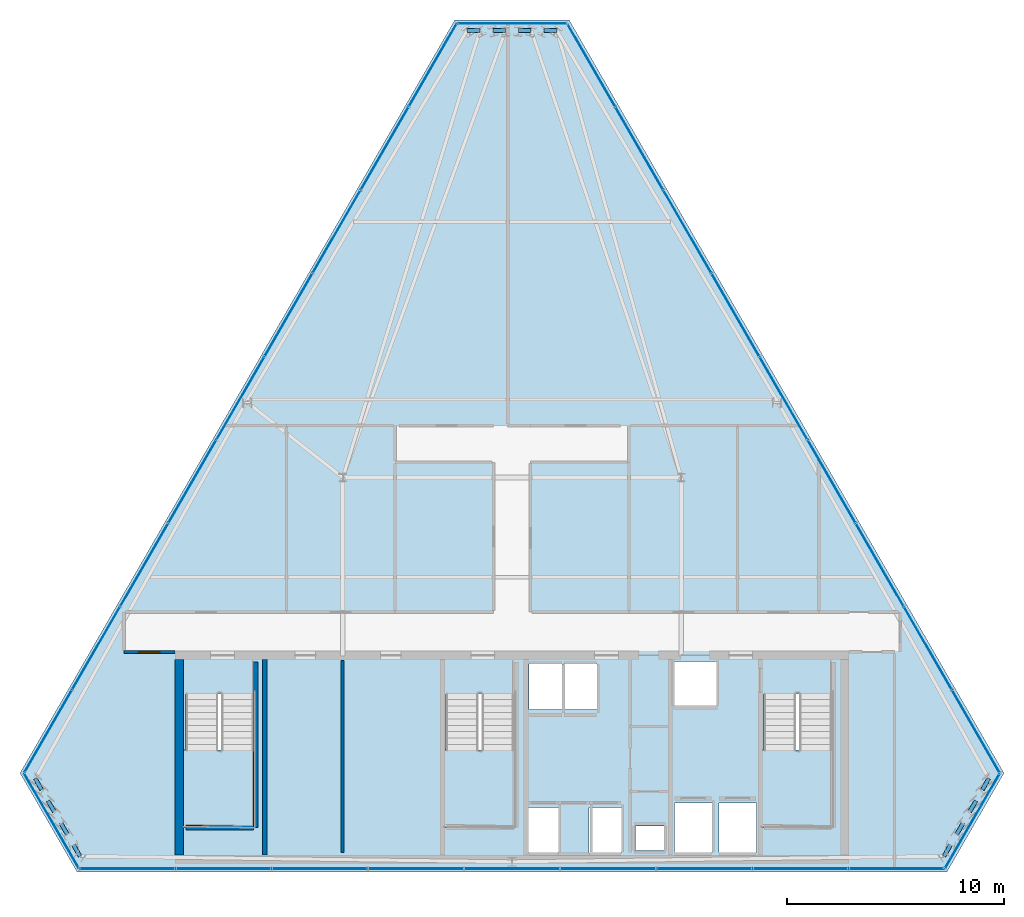
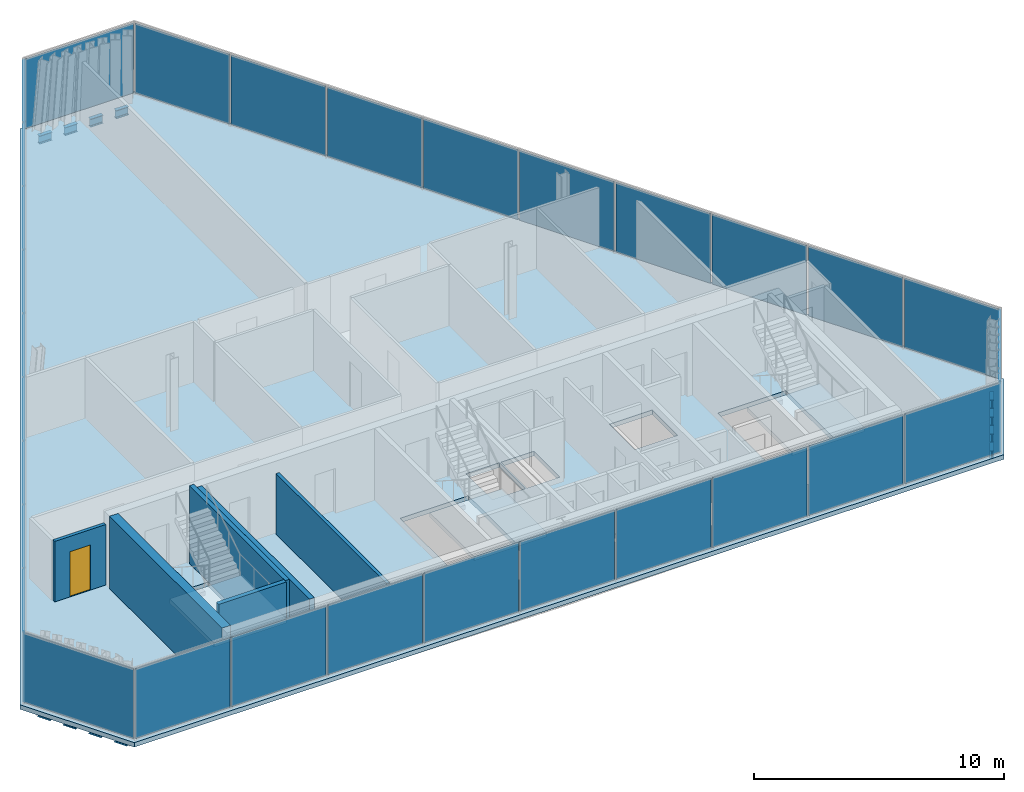
# One storey, part 29 of 35: 30 plates, 12 beams, 6 walls, 4 slabs, 1 door, 1 opening, 9 elements without a shape of their own.
"""IFC4 building model written with IfcOpenShell, lengths in metres."""

from ifc_helpers import new_model, si_unit, direction, frame, frame_2d, origin, origin_2d, place, context, subcontext, project, spatial, polyline, rectangle, i_section, outline, extrude, material, layer, layer_set, material_profile, profile_set, type_object, element, fill, aggregate, save


model = new_model("IFC4")

# Units and contexts
model_context = context("Model", 3, precision=1e-05, world=origin(), true_north=direction((0.0, 1.0)))
body_context = subcontext(model_context, "Body", "Model", "MODEL_VIEW")
ifc_project = project(units=[si_unit("LENGTHUNIT", "METRE"), si_unit("AREAUNIT", "SQUARE_METRE"), si_unit("VOLUMEUNIT", "CUBIC_METRE"), si_unit("PLANEANGLEUNIT", "RADIAN"), si_unit("MASSUNIT", "GRAM", prefix="KILO")], contexts=[model_context])

# Site, building, storey
site_placement = place(None, origin())
site = spatial("IfcSite", under=ifc_project, at=site_placement, CompositionType="ELEMENT")
building_placement = place(site_placement, origin())
building = spatial("IfcBuilding", under=site, at=building_placement, Name="Ndaravel Arena Tower", CompositionType="ELEMENT")
storey_placement = place(building_placement, frame((0.0, 0.0, 275.0)))
storey = spatial("IfcBuildingStorey", under=building, at=storey_placement, Name="L67", CompositionType="ELEMENT", Elevation=275.0)

# Beams
ifc_material_1 = material(Name="Steel S355", Category="steel")
ifc_material_profile = material_profile(ifc_material_1, i_section(OverallWidth=0.179931640625, OverallDepth=0.39990234375, WebThickness=0.008544921875, FlangeThickness=0.013427734375, FilletRadius=0.02099609375, at=origin_2d()), Name="IPE 400")
ifc_profile_set = profile_set([ifc_material_profile], Name="Steel S355")
beam_type = type_object("IfcBeamType", Name="BM-SPAN-IPE400", PredefinedType="SPANDREL", material=ifc_profile_set)
beam_1_placement = place(storey_placement, frame((61.921875, 5.735595703125, -0.419921875), z_axis=(0.500056887695, 0.865992557167, 0.0), x_axis=(-0.865992557167, 0.500056887695, 0.0)))
element("IfcBeam", 1, at=beam_1_placement, inside=storey, type_object=beam_type, Name="L67 Perimeter Spandrel Beam SP-02", PredefinedType="SPANDREL", context=body_context, shape_type="SweptSolid", body=[
    extrude(i_section(OverallWidth=0.179931640625, OverallDepth=0.39990234375, WebThickness=0.008544921875, FlangeThickness=0.013427734375, FilletRadius=0.02099609375, at=origin_2d()), origin(), (0.0, 0.0, 1.0), 0.58984375),
])
for number, where, z_axis, x_axis, name in (
    (2, (62.511962890625, 6.75732421875, -0.419921875), (0.499877680134, 0.866096013675, 0.0), (-0.866096013675, 0.499877680134, 0.0), "L67 Perimeter Spandrel Beam SP-04"),
    (3, (63.101806640625, 7.779296875, -0.419921875), (0.500187988959, 0.865916841101, 0.0), (-0.865916841101, 0.500187988959, 0.0), "L67 Perimeter Spandrel Beam SP-06"),
    (4, (63.69189453125, 8.80126953125, -0.419921875), (0.499877680134, 0.866096013675, 0.0), (-0.866096013675, 0.499877680134, 0.0), "L67 Perimeter Spandrel Beam SP-08"),
    (5, (44.065185546875, 43.818115234375, -0.419921875), (-1.0, 0.0, 0.0), (0.0, -1.0, 0.0), "L67 Perimeter Spandrel Beam SP-11"),
    (6, (42.885009765625, 43.818115234375, -0.419921875), (-1.0, 0.0, 0.0), (0.0, -1.0, 0.0), "L67 Perimeter Spandrel Beam SP-13"),
    (7, (41.705078125, 43.818115234375, -0.419921875), (-1.0, 0.0, 0.0), (0.0, -1.0, 0.0), "L67 Perimeter Spandrel Beam SP-15"),
    (8, (40.52490234375, 43.818115234375, -0.419921875), (-1.0, 0.0, 0.0), (0.0, -1.0, 0.0), "L67 Perimeter Spandrel Beam SP-17"),
    (9, (20.01318359375, 9.312255859375, -0.419921875), (0.499877680134, -0.866096013675, 0.0), (0.866096013675, 0.499877680134, 0.0), "L67 Perimeter Spandrel Beam SP-20"),
    (10, (20.60302734375, 8.290283203125, -0.419921875), (0.500187988959, -0.865916841101, 0.0), (0.865916841101, 0.500187988959, 0.0), "L67 Perimeter Spandrel Beam SP-22"),
    (11, (21.193115234375, 7.268310546875, -0.419921875), (0.499877680134, -0.866096013675, 0.0), (0.866096013675, 0.499877680134, 0.0), "L67 Perimeter Spandrel Beam SP-24"),
):
    element("IfcBeam", number, at=place(storey_placement, frame(where, z_axis=z_axis, x_axis=x_axis)), inside=storey, type_object=beam_type, Name=name, PredefinedType="SPANDREL", context=body_context, shape_type="SweptSolid", body=[
        extrude(i_section(OverallWidth=0.179931640625, OverallDepth=0.39990234375, WebThickness=0.008544921875, FlangeThickness=0.013427734375, FilletRadius=0.02099609375, at=origin_2d()), origin(), (0.0, 0.0, 1.0), 0.590087890625),
    ])
beam_2_placement = place(storey_placement, frame((21.783203125, 6.246337890625, -0.419921875), z_axis=(0.500056887695, -0.865992557167, 0.0), x_axis=(0.865992557167, 0.500056887695, 0.0)))
element("IfcBeam", 12, at=beam_2_placement, inside=storey, type_object=beam_type, Name="L67 Perimeter Spandrel Beam SP-26", PredefinedType="SPANDREL", context=body_context, shape_type="SweptSolid", body=[
    extrude(i_section(OverallWidth=0.179931640625, OverallDepth=0.39990234375, WebThickness=0.008544921875, FlangeThickness=0.013427734375, FilletRadius=0.02099609375, at=origin_2d()), origin(), (0.0, 0.0, 1.0), 0.58984375),
])

# Curtain wall, plate
ifc_material_2 = material(Name="Aluminium", Category="aluminium")
ifc_layer_1 = layer(ifc_material_2, 0.179931640625)
ifc_layer_set_1 = layer_set([ifc_layer_1], Name="Aluminium")
curtain_wall_type_1 = type_object("IfcCurtainWallType", Name="CW-SYS-01", PredefinedType="NOTDEFINED", material=ifc_layer_set_1)
curtain_wall_1_placement = place(storey_placement, origin())
curtain_wall_1 = element("IfcCurtainWall", 13, at=curtain_wall_1_placement, inside=storey, type_object=curtain_wall_type_1, Name="L67 Faceted Crystal Curtain Wall CW-L67-E02", PredefinedType="NOTDEFINED")
ifc_material_3 = material(Name="Glazing", Category="glass")
ifc_layer_2 = layer(ifc_material_3, 0.031982421875)
ifc_layer_set_2 = layer_set([ifc_layer_2], Name="Glazing")
plate_type_1 = type_object("IfcPlateType", Name="PLT-GLZ-FRIT35", PredefinedType="CURTAIN_PANEL", material=ifc_layer_set_2)
plate_1_placement = place(storey_placement, frame((63.2314453125, 7.364013671875, 0.06005859375), z_axis=(0.0, 0.0, 1.0), x_axis=(0.5, 0.866025403784, 0.0)))
plate_1 = element("IfcPlate", 14, at=plate_1_placement, type_object=plate_type_1, Name="CW-L67-E02 Vision Glass Panel 01", PredefinedType="CURTAIN_PANEL", context=body_context, shape_type="SweptSolid", body=[
    extrude(rectangle(XDim=5.009521484375, YDim=0.035888671875, at=origin_2d()), origin(), (0.0, 0.0, 1.0), 3.39990234375),
])
aggregate(curtain_wall_1, [plate_1])

curtain_wall_2_placement = place(storey_placement, origin())
curtain_wall_2 = element("IfcCurtainWall", 15, at=curtain_wall_2_placement, inside=storey, type_object=curtain_wall_type_1, Name="L67 Faceted Crystal Curtain Wall CW-L67-E04", PredefinedType="NOTDEFINED")
plate_2_placement = place(storey_placement, frame((42.0, 44.137939453125, 0.06005859375), z_axis=(0.0, 0.0, 1.0), x_axis=(-1.0, 0.0, 0.0)))
plate_2 = element("IfcPlate", 16, at=plate_2_placement, type_object=plate_type_1, Name="CW-L67-E04 Vision Glass Panel 01", PredefinedType="CURTAIN_PANEL", context=body_context, shape_type="SweptSolid", body=[
    extrude(rectangle(XDim=5.009521484375, YDim=0.035888671875, at=origin_2d()), origin(), (0.0, 0.0, 1.0), 3.39990234375),
])
aggregate(curtain_wall_2, [plate_2])

ifc_material_4 = material(Name="Aluminium", Category="aluminium")
ifc_layer_3 = layer(ifc_material_4, 0.179931640625)
ifc_layer_set_3 = layer_set([ifc_layer_3], Name="Aluminium")
curtain_wall_type_2 = type_object("IfcCurtainWallType", Name="CW-SYS-02", PredefinedType="NOTDEFINED", material=ifc_layer_set_3)
curtain_wall_3_placement = place(storey_placement, origin())
curtain_wall_3 = element("IfcCurtainWall", 17, at=curtain_wall_3_placement, inside=storey, type_object=curtain_wall_type_2, Name="L67 Faceted Crystal Curtain Wall CW-L67-E06", PredefinedType="NOTDEFINED")
ifc_material_5 = material(Name="Glazing", Category="glass")
ifc_layer_4 = layer(ifc_material_5, 0.035888671875)
ifc_layer_set_4 = layer_set([ifc_layer_4], Name="Glazing")
plate_type_2 = type_object("IfcPlateType", Name="PLT-GLZ-FRIT55", PredefinedType="CURTAIN_PANEL", material=ifc_layer_set_4)
plate_3_placement = place(storey_placement, frame((20.7685546875, 7.364013671875, 0.06005859375), z_axis=(0.0, 0.0, 1.0), x_axis=(0.5, -0.866025403784, 0.0)))
plate_3 = element("IfcPlate", 18, at=plate_3_placement, type_object=plate_type_2, Name="CW-L67-E06 Vision Glass Panel 01", PredefinedType="CURTAIN_PANEL", context=body_context, shape_type="SweptSolid", body=[
    extrude(rectangle(XDim=5.009521484375, YDim=0.035888671875, at=origin_2d()), origin(), (0.0, 0.0, 1.0), 3.39990234375),
])
aggregate(curtain_wall_3, [plate_3])

# Curtain wall, plates
ifc_material_6 = material(Name="Aluminium", Category="aluminium")
ifc_layer_5 = layer(ifc_material_6, 0.179931640625)
ifc_layer_set_5 = layer_set([ifc_layer_5], Name="Aluminium")
curtain_wall_type_3 = type_object("IfcCurtainWallType", Name="CW-SYS-03", PredefinedType="NOTDEFINED", material=ifc_layer_set_5)
curtain_wall_4_placement = place(storey_placement, origin())
curtain_wall_4 = element("IfcCurtainWall", 19, at=curtain_wall_4_placement, inside=storey, type_object=curtain_wall_type_3, Name="L67 Faceted Crystal Curtain Wall CW-L67-E01", PredefinedType="NOTDEFINED")
ifc_material_7 = material(Name="Glazing", Category="glass")
ifc_layer_6 = layer(ifc_material_7, 0.0400390625)
ifc_layer_set_6 = layer_set([ifc_layer_6], Name="Glazing")
plate_type_3 = type_object("IfcPlateType", Name="PLT-GLZ-LOWIRON", PredefinedType="CURTAIN_PANEL", material=ifc_layer_set_6)
plate_4_placement = place(storey_placement, frame((24.258544921875, 5.159912109375, 0.06005859375), z_axis=(0.0, 0.0, 1.0), x_axis=(1.0, 0.0, 0.0)))
plate_4 = element("IfcPlate", 20, at=plate_4_placement, type_object=plate_type_3, Name="CW-L67-E01 Vision Glass Panel 01", PredefinedType="CURTAIN_PANEL", context=body_context, shape_type="SweptSolid", body=[
    extrude(rectangle(XDim=4.35546875, YDim=0.035888671875, at=origin_2d()), origin(), (0.0, 0.0, 1.0), 3.39990234375),
])
plate_5_placement = place(storey_placement, frame((28.69384765625, 5.159912109375, 0.06005859375), z_axis=(0.0, 0.0, 1.0), x_axis=(1.0, 0.0, 0.0)))
plate_5 = element("IfcPlate", 21, at=plate_5_placement, type_object=plate_type_3, Name="CW-L67-E01 Vision Glass Panel 02", PredefinedType="CURTAIN_PANEL", context=body_context, shape_type="SweptSolid", body=[
    extrude(rectangle(XDim=4.35546875, YDim=0.035888671875, at=origin_2d()), origin(), (0.0, 0.0, 1.0), 3.39990234375),
])
plate_6_placement = place(storey_placement, frame((33.12939453125, 5.159912109375, 0.06005859375), z_axis=(0.0, 0.0, 1.0), x_axis=(1.0, 0.0, 0.0)))
plate_6 = element("IfcPlate", 22, at=plate_6_placement, type_object=plate_type_3, Name="CW-L67-E01 Vision Glass Panel 03", PredefinedType="CURTAIN_PANEL", context=body_context, shape_type="SweptSolid", body=[
    extrude(rectangle(XDim=4.35546875, YDim=0.035888671875, at=origin_2d()), origin(), (0.0, 0.0, 1.0), 3.39990234375),
])
plate_7_placement = place(storey_placement, frame((37.564697265625, 5.159912109375, 0.06005859375), z_axis=(0.0, 0.0, 1.0), x_axis=(1.0, 0.0, 0.0)))
plate_7 = element("IfcPlate", 23, at=plate_7_placement, type_object=plate_type_3, Name="CW-L67-E01 Vision Glass Panel 04", PredefinedType="CURTAIN_PANEL", context=body_context, shape_type="SweptSolid", body=[
    extrude(rectangle(XDim=4.35546875, YDim=0.035888671875, at=origin_2d()), origin(), (0.0, 0.0, 1.0), 3.39990234375),
])
plate_8_placement = place(storey_placement, frame((42.0, 5.159912109375, 0.06005859375), z_axis=(0.0, 0.0, 1.0), x_axis=(1.0, 0.0, 0.0)))
plate_8 = element("IfcPlate", 24, at=plate_8_placement, type_object=plate_type_3, Name="CW-L67-E01 Vision Glass Panel 05", PredefinedType="CURTAIN_PANEL", context=body_context, shape_type="SweptSolid", body=[
    extrude(rectangle(XDim=4.35546875, YDim=0.035888671875, at=origin_2d()), origin(), (0.0, 0.0, 1.0), 3.39990234375),
])
plate_9_placement = place(storey_placement, frame((46.435302734375, 5.159912109375, 0.06005859375), z_axis=(0.0, 0.0, 1.0), x_axis=(1.0, 0.0, 0.0)))
plate_9 = element("IfcPlate", 25, at=plate_9_placement, type_object=plate_type_3, Name="CW-L67-E01 Vision Glass Panel 06", PredefinedType="CURTAIN_PANEL", context=body_context, shape_type="SweptSolid", body=[
    extrude(rectangle(XDim=4.35546875, YDim=0.035888671875, at=origin_2d()), origin(), (0.0, 0.0, 1.0), 3.39990234375),
])
plate_10_placement = place(storey_placement, frame((50.87060546875, 5.159912109375, 0.06005859375), z_axis=(0.0, 0.0, 1.0), x_axis=(1.0, 0.0, 0.0)))
plate_10 = element("IfcPlate", 26, at=plate_10_placement, type_object=plate_type_3, Name="CW-L67-E01 Vision Glass Panel 07", PredefinedType="CURTAIN_PANEL", context=body_context, shape_type="SweptSolid", body=[
    extrude(rectangle(XDim=4.35546875, YDim=0.035888671875, at=origin_2d()), origin(), (0.0, 0.0, 1.0), 3.39990234375),
])
plate_11_placement = place(storey_placement, frame((55.30615234375, 5.159912109375, 0.06005859375), z_axis=(0.0, 0.0, 1.0), x_axis=(1.0, 0.0, 0.0)))
plate_11 = element("IfcPlate", 27, at=plate_11_placement, type_object=plate_type_3, Name="CW-L67-E01 Vision Glass Panel 08", PredefinedType="CURTAIN_PANEL", context=body_context, shape_type="SweptSolid", body=[
    extrude(rectangle(XDim=4.35546875, YDim=0.035888671875, at=origin_2d()), origin(), (0.0, 0.0, 1.0), 3.39990234375),
])
plate_12_placement = place(storey_placement, frame((59.741455078125, 5.159912109375, 0.06005859375), z_axis=(0.0, 0.0, 1.0), x_axis=(1.0, 0.0, 0.0)))
plate_12 = element("IfcPlate", 28, at=plate_12_placement, type_object=plate_type_3, Name="CW-L67-E01 Vision Glass Panel 09", PredefinedType="CURTAIN_PANEL", context=body_context, shape_type="SweptSolid", body=[
    extrude(rectangle(XDim=4.35546875, YDim=0.035888671875, at=origin_2d()), origin(), (0.0, 0.0, 1.0), 3.39990234375),
])
aggregate(curtain_wall_4, [plate_4, plate_5, plate_6, plate_7, plate_8, plate_9, plate_10, plate_11, plate_12])

curtain_wall_5_placement = place(storey_placement, origin())
curtain_wall_5 = element("IfcCurtainWall", 29, at=curtain_wall_5_placement, inside=storey, type_object=curtain_wall_type_3, Name="L67 Faceted Crystal Curtain Wall CW-L67-E03", PredefinedType="NOTDEFINED")
plate_13_placement = place(storey_placement, frame((63.39501953125, 11.48828125, 0.06005859375), z_axis=(0.0, 0.0, 1.0), x_axis=(-0.5, 0.866025403784, 0.0)))
plate_13 = element("IfcPlate", 30, at=plate_13_placement, type_object=plate_type_3, Name="CW-L67-E03 Vision Glass Panel 01", PredefinedType="CURTAIN_PANEL", context=body_context, shape_type="SweptSolid", body=[
    extrude(rectangle(XDim=4.35546875, YDim=0.035888671875, at=origin_2d()), origin(), (0.0, 0.0, 1.0), 3.39990234375),
])
plate_14_placement = place(storey_placement, frame((61.177490234375, 15.329345703125, 0.06005859375), z_axis=(0.0, 0.0, 1.0), x_axis=(-0.5, 0.866025403784, 0.0)))
plate_14 = element("IfcPlate", 31, at=plate_14_placement, type_object=plate_type_3, Name="CW-L67-E03 Vision Glass Panel 02", PredefinedType="CURTAIN_PANEL", context=body_context, shape_type="SweptSolid", body=[
    extrude(rectangle(XDim=4.35546875, YDim=0.035888671875, at=origin_2d()), origin(), (0.0, 0.0, 1.0), 3.39990234375),
])
plate_15_placement = place(storey_placement, frame((58.959716796875, 19.170654296875, 0.06005859375), z_axis=(0.0, 0.0, 1.0), x_axis=(-0.5, 0.866025403784, 0.0)))
plate_15 = element("IfcPlate", 32, at=plate_15_placement, type_object=plate_type_3, Name="CW-L67-E03 Vision Glass Panel 03", PredefinedType="CURTAIN_PANEL", context=body_context, shape_type="SweptSolid", body=[
    extrude(rectangle(XDim=4.35546875, YDim=0.035888671875, at=origin_2d()), origin(), (0.0, 0.0, 1.0), 3.39990234375),
])
plate_16_placement = place(storey_placement, frame((56.741943359375, 23.01171875, 0.06005859375), z_axis=(0.0, 0.0, 1.0), x_axis=(-0.5, 0.866025403784, 0.0)))
plate_16 = element("IfcPlate", 33, at=plate_16_placement, type_object=plate_type_3, Name="CW-L67-E03 Vision Glass Panel 04", PredefinedType="CURTAIN_PANEL", context=body_context, shape_type="SweptSolid", body=[
    extrude(rectangle(XDim=4.35546875, YDim=0.035888671875, at=origin_2d()), origin(), (0.0, 0.0, 1.0), 3.39990234375),
])
plate_17_placement = place(storey_placement, frame((54.5244140625, 26.852783203125, 0.06005859375), z_axis=(0.0, 0.0, 1.0), x_axis=(-0.5, 0.866025403784, 0.0)))
plate_17 = element("IfcPlate", 34, at=plate_17_placement, type_object=plate_type_3, Name="CW-L67-E03 Vision Glass Panel 05", PredefinedType="CURTAIN_PANEL", context=body_context, shape_type="SweptSolid", body=[
    extrude(rectangle(XDim=4.35546875, YDim=0.035888671875, at=origin_2d()), origin(), (0.0, 0.0, 1.0), 3.39990234375),
])
plate_18_placement = place(storey_placement, frame((52.306640625, 30.694091796875, 0.06005859375), z_axis=(0.0, 0.0, 1.0), x_axis=(-0.5, 0.866025403784, 0.0)))
plate_18 = element("IfcPlate", 35, at=plate_18_placement, type_object=plate_type_3, Name="CW-L67-E03 Vision Glass Panel 06", PredefinedType="CURTAIN_PANEL", context=body_context, shape_type="SweptSolid", body=[
    extrude(rectangle(XDim=4.35546875, YDim=0.035888671875, at=origin_2d()), origin(), (0.0, 0.0, 1.0), 3.39990234375),
])
plate_19_placement = place(storey_placement, frame((50.089111328125, 34.53515625, 0.06005859375), z_axis=(0.0, 0.0, 1.0), x_axis=(-0.5, 0.866025403784, 0.0)))
plate_19 = element("IfcPlate", 36, at=plate_19_placement, type_object=plate_type_3, Name="CW-L67-E03 Vision Glass Panel 07", PredefinedType="CURTAIN_PANEL", context=body_context, shape_type="SweptSolid", body=[
    extrude(rectangle(XDim=4.35546875, YDim=0.035888671875, at=origin_2d()), origin(), (0.0, 0.0, 1.0), 3.39990234375),
])
plate_20_placement = place(storey_placement, frame((47.871337890625, 38.376220703125, 0.06005859375), z_axis=(0.0, 0.0, 1.0), x_axis=(-0.5, 0.866025403784, 0.0)))
plate_20 = element("IfcPlate", 37, at=plate_20_placement, type_object=plate_type_3, Name="CW-L67-E03 Vision Glass Panel 08", PredefinedType="CURTAIN_PANEL", context=body_context, shape_type="SweptSolid", body=[
    extrude(rectangle(XDim=4.35546875, YDim=0.035888671875, at=origin_2d()), origin(), (0.0, 0.0, 1.0), 3.39990234375),
])
plate_21_placement = place(storey_placement, frame((45.653564453125, 42.21728515625, 0.06005859375), z_axis=(0.0, 0.0, 1.0), x_axis=(-0.5, 0.866025403784, 0.0)))
plate_21 = element("IfcPlate", 38, at=plate_21_placement, type_object=plate_type_3, Name="CW-L67-E03 Vision Glass Panel 09", PredefinedType="CURTAIN_PANEL", context=body_context, shape_type="SweptSolid", body=[
    extrude(rectangle(XDim=4.35546875, YDim=0.035888671875, at=origin_2d()), origin(), (0.0, 0.0, 1.0), 3.39990234375),
])
aggregate(curtain_wall_5, [plate_13, plate_14, plate_15, plate_16, plate_17, plate_18, plate_19, plate_20, plate_21])

curtain_wall_6_placement = place(storey_placement, origin())
curtain_wall_6 = element("IfcCurtainWall", 39, at=curtain_wall_6_placement, inside=storey, type_object=curtain_wall_type_3, Name="L67 Faceted Crystal Curtain Wall CW-L67-E05", PredefinedType="NOTDEFINED")
plate_22_placement = place(storey_placement, frame((38.346435546875, 42.21728515625, 0.06005859375), z_axis=(0.0, 0.0, 1.0), x_axis=(-0.5, -0.866025403784, 0.0)))
plate_22 = element("IfcPlate", 40, at=plate_22_placement, type_object=plate_type_3, Name="CW-L67-E05 Vision Glass Panel 01", PredefinedType="CURTAIN_PANEL", context=body_context, shape_type="SweptSolid", body=[
    extrude(rectangle(XDim=4.35546875, YDim=0.035888671875, at=origin_2d()), origin(), (0.0, 0.0, 1.0), 3.39990234375),
])
plate_23_placement = place(storey_placement, frame((36.128662109375, 38.376220703125, 0.06005859375), z_axis=(0.0, 0.0, 1.0), x_axis=(-0.5, -0.866025403784, 0.0)))
plate_23 = element("IfcPlate", 41, at=plate_23_placement, type_object=plate_type_3, Name="CW-L67-E05 Vision Glass Panel 02", PredefinedType="CURTAIN_PANEL", context=body_context, shape_type="SweptSolid", body=[
    extrude(rectangle(XDim=4.35546875, YDim=0.035888671875, at=origin_2d()), origin(), (0.0, 0.0, 1.0), 3.39990234375),
])
plate_24_placement = place(storey_placement, frame((33.910888671875, 34.53515625, 0.06005859375), z_axis=(0.0, 0.0, 1.0), x_axis=(-0.5, -0.866025403784, 0.0)))
plate_24 = element("IfcPlate", 42, at=plate_24_placement, type_object=plate_type_3, Name="CW-L67-E05 Vision Glass Panel 03", PredefinedType="CURTAIN_PANEL", context=body_context, shape_type="SweptSolid", body=[
    extrude(rectangle(XDim=4.35546875, YDim=0.035888671875, at=origin_2d()), origin(), (0.0, 0.0, 1.0), 3.39990234375),
])
plate_25_placement = place(storey_placement, frame((31.693359375, 30.694091796875, 0.06005859375), z_axis=(0.0, 0.0, 1.0), x_axis=(-0.5, -0.866025403784, 0.0)))
plate_25 = element("IfcPlate", 43, at=plate_25_placement, type_object=plate_type_3, Name="CW-L67-E05 Vision Glass Panel 04", PredefinedType="CURTAIN_PANEL", context=body_context, shape_type="SweptSolid", body=[
    extrude(rectangle(XDim=4.35546875, YDim=0.035888671875, at=origin_2d()), origin(), (0.0, 0.0, 1.0), 3.39990234375),
])
plate_26_placement = place(storey_placement, frame((29.4755859375, 26.852783203125, 0.06005859375), z_axis=(0.0, 0.0, 1.0), x_axis=(-0.5, -0.866025403784, 0.0)))
plate_26 = element("IfcPlate", 44, at=plate_26_placement, type_object=plate_type_3, Name="CW-L67-E05 Vision Glass Panel 05", PredefinedType="CURTAIN_PANEL", context=body_context, shape_type="SweptSolid", body=[
    extrude(rectangle(XDim=4.35546875, YDim=0.035888671875, at=origin_2d()), origin(), (0.0, 0.0, 1.0), 3.39990234375),
])
plate_27_placement = place(storey_placement, frame((27.258056640625, 23.01171875, 0.06005859375), z_axis=(0.0, 0.0, 1.0), x_axis=(-0.5, -0.866025403784, 0.0)))
plate_27 = element("IfcPlate", 45, at=plate_27_placement, type_object=plate_type_3, Name="CW-L67-E05 Vision Glass Panel 06", PredefinedType="CURTAIN_PANEL", context=body_context, shape_type="SweptSolid", body=[
    extrude(rectangle(XDim=4.35546875, YDim=0.035888671875, at=origin_2d()), origin(), (0.0, 0.0, 1.0), 3.39990234375),
])
plate_28_placement = place(storey_placement, frame((25.040283203125, 19.170654296875, 0.06005859375), z_axis=(0.0, 0.0, 1.0), x_axis=(-0.5, -0.866025403784, 0.0)))
plate_28 = element("IfcPlate", 46, at=plate_28_placement, type_object=plate_type_3, Name="CW-L67-E05 Vision Glass Panel 07", PredefinedType="CURTAIN_PANEL", context=body_context, shape_type="SweptSolid", body=[
    extrude(rectangle(XDim=4.35546875, YDim=0.035888671875, at=origin_2d()), origin(), (0.0, 0.0, 1.0), 3.39990234375),
])
plate_29_placement = place(storey_placement, frame((22.822509765625, 15.329345703125, 0.06005859375), z_axis=(0.0, 0.0, 1.0), x_axis=(-0.5, -0.866025403784, 0.0)))
plate_29 = element("IfcPlate", 47, at=plate_29_placement, type_object=plate_type_3, Name="CW-L67-E05 Vision Glass Panel 08", PredefinedType="CURTAIN_PANEL", context=body_context, shape_type="SweptSolid", body=[
    extrude(rectangle(XDim=4.35546875, YDim=0.035888671875, at=origin_2d()), origin(), (0.0, 0.0, 1.0), 3.39990234375),
])
plate_30_placement = place(storey_placement, frame((20.60498046875, 11.48828125, 0.06005859375), z_axis=(0.0, 0.0, 1.0), x_axis=(-0.5, -0.866025403784, 0.0)))
plate_30 = element("IfcPlate", 48, at=plate_30_placement, type_object=plate_type_3, Name="CW-L67-E05 Vision Glass Panel 09", PredefinedType="CURTAIN_PANEL", context=body_context, shape_type="SweptSolid", body=[
    extrude(rectangle(XDim=4.35546875, YDim=0.035888671875, at=origin_2d()), origin(), (0.0, 0.0, 1.0), 3.39990234375),
])
aggregate(curtain_wall_6, [plate_22, plate_23, plate_24, plate_25, plate_26, plate_27, plate_28, plate_29, plate_30])

# Stair, slab
ifc_material_8 = material(Name="Concrete C40/50", Category="concrete")
stair_type = type_object("IfcStairType", Name="STAIR-CORE-HT", PredefinedType="HALF_TURN_STAIR", material=ifc_material_8)
stair_1_placement = place(storey_placement, origin())
stair_1 = element("IfcStair", 49, at=stair_1_placement, inside=storey, type_object=stair_type, Name="L67 ST-1", PredefinedType="HALF_TURN_STAIR")
ifc_material_9 = material(Name="Concrete C40/50", Category="concrete")
ifc_layer_7 = layer(ifc_material_9, 0.199951171875)
ifc_layer_set_7 = layer_set([ifc_layer_7], Name="Concrete C40/50")
slab_type_1 = type_object("IfcSlabType", Name="SLAB-STAIR-LANDING", PredefinedType="LANDING", material=ifc_layer_set_7)
slab_1_placement = place(storey_placement, frame((0.0, 0.0, 1.699951171875)))
slab_1 = element("IfcSlab", 50, at=slab_1_placement, type_object=slab_type_1, Name="ST-1 landing 1", PredefinedType="LANDING", context=body_context, shape_type="SweptSolid", body=[
    extrude(outline(polyline([(26.81005859375, 10.6298828125), (26.81005859375, 7.070068359375), (30.169921875, 7.070068359375), (30.169921875, 10.6298828125), (26.81005859375, 10.6298828125)])), origin(), (0.0, 0.0, 1.0), 0.199951171875),
])
aggregate(stair_1, [slab_1])

stair_2_placement = place(storey_placement, origin())
stair_2 = element("IfcStair", 51, at=stair_2_placement, inside=storey, type_object=stair_type, Name="L67 ST-2", PredefinedType="HALF_TURN_STAIR")
slab_2_placement = place(storey_placement, frame((0.0, 0.0, 1.699951171875)))
slab_2 = element("IfcSlab", 52, at=slab_2_placement, type_object=slab_type_1, Name="ST-2 landing 1", PredefinedType="LANDING", context=body_context, shape_type="SweptSolid", body=[
    extrude(outline(polyline([(38.81005859375, 10.6298828125), (38.81005859375, 7.070068359375), (42.169921875, 7.070068359375), (42.169921875, 10.6298828125), (38.81005859375, 10.6298828125)])), origin(), (0.0, 0.0, 1.0), 0.199951171875),
])
aggregate(stair_2, [slab_2])

stair_3_placement = place(storey_placement, origin())
stair_3 = element("IfcStair", 53, at=stair_3_placement, inside=storey, type_object=stair_type, Name="L67 ST-3", PredefinedType="HALF_TURN_STAIR")
slab_3_placement = place(storey_placement, frame((0.0, 0.0, 1.699951171875)))
slab_3 = element("IfcSlab", 54, at=slab_3_placement, type_object=slab_type_1, Name="ST-3 landing 1", PredefinedType="LANDING", context=body_context, shape_type="SweptSolid", body=[
    extrude(outline(polyline([(53.4599609375, 10.6298828125), (53.4599609375, 7.070068359375), (56.820068359375, 7.070068359375), (56.820068359375, 10.6298828125), (53.4599609375, 10.6298828125)])), origin(), (0.0, 0.0, 1.0), 0.199951171875),
])
aggregate(stair_3, [slab_3])

# Slab
ifc_material_10 = material(Name="Concrete C40/50", Category="concrete")
ifc_layer_8 = layer(ifc_material_10, 0.219970703125)
ifc_layer_set_8 = layer_set([ifc_layer_8], Name="Concrete C40/50")
slab_type_2 = type_object("IfcSlabType", Name="SLAB-TWR-220", PredefinedType="FLOOR", material=ifc_layer_set_8)
slab_4_placement = place(storey_placement, frame((0.0, 0.0, -0.219970703125)))
element("IfcSlab", 55, at=slab_4_placement, inside=storey, type_object=slab_type_2, Name="L67 Structural Floor Slab", PredefinedType="FLOOR", context=body_context, shape_type="SweptSolid", body=[
    extrude(outline(polyline([(19.311279296875, 9.567626953125), (21.948486328125, 5.0), (62.051513671875, 5.0), (64.688720703125, 9.567626953125), (44.63720703125, 44.298095703125), (39.36279296875, 44.298095703125), (19.311279296875, 9.567626953125)]), holes=[polyline([(26.949951171875, 13.215087890625), (26.949951171875, 7.14990234375), (30.090087890625, 7.14990234375), (30.090087890625, 13.215087890625), (26.949951171875, 13.215087890625)]), polyline([(38.949951171875, 13.215087890625), (38.949951171875, 7.14990234375), (42.090087890625, 7.14990234375), (42.090087890625, 13.215087890625), (38.949951171875, 13.215087890625)]), polyline([(53.60009765625, 13.215087890625), (53.60009765625, 7.14990234375), (56.739990234375, 7.14990234375), (56.739990234375, 13.215087890625), (53.60009765625, 13.215087890625)]), polyline([(42.659912109375, 5.909912109375), (44.139892578125, 5.909912109375), (44.139892578125, 7.989990234375), (42.659912109375, 7.989990234375), (42.659912109375, 5.909912109375)]), polyline([(45.56005859375, 5.909912109375), (47.0400390625, 5.909912109375), (47.0400390625, 7.989990234375), (45.56005859375, 7.989990234375), (45.56005859375, 5.909912109375)]), polyline([(42.784912109375, 12.510009765625), (44.31494140625, 12.510009765625), (44.31494140625, 14.590087890625), (42.784912109375, 14.590087890625), (42.784912109375, 12.510009765625)]), polyline([(44.385009765625, 12.510009765625), (45.9150390625, 12.510009765625), (45.9150390625, 14.590087890625), (44.385009765625, 14.590087890625), (44.385009765625, 12.510009765625)]), polyline([(49.485107421875, 5.909912109375), (51.215087890625, 5.909912109375), (51.215087890625, 8.18994140625), (49.485107421875, 8.18994140625), (49.485107421875, 5.909912109375)]), polyline([(51.534912109375, 5.909912109375), (53.264892578125, 5.909912109375), (53.264892578125, 8.18994140625), (51.534912109375, 8.18994140625), (51.534912109375, 5.909912109375)]), polyline([(49.4599609375, 12.68505859375), (51.43994140625, 12.68505859375), (51.43994140625, 14.715087890625), (49.4599609375, 14.715087890625), (49.4599609375, 12.68505859375)]), polyline([(47.699951171875, 6.0), (49.0, 6.0), (49.0, 7.139892578125), (47.699951171875, 7.139892578125), (47.699951171875, 6.0)])]), origin(), (0.0, 0.0, 1.0), 0.219970703125),
])

# Walls
ifc_material_11 = material(Name="Gypsum", Category="gypsum")
ifc_layer_9 = layer(ifc_material_11, 0.14990234375)
ifc_layer_set_9 = layer_set([ifc_layer_9], Name="Gypsum")
wall_type_1 = type_object("IfcWallType", Name="WALL-COMP-150", PredefinedType="PARTITIONING", material=ifc_layer_set_9)
wall_1_placement = place(storey_placement, frame((34.179931640625, 5.89990234375, 0.0), z_axis=(0.0, 0.0, 1.0), x_axis=(0.0, 1.0, 0.0)))
element("IfcWall", 56, at=wall_1_placement, inside=storey, type_object=wall_type_1, Name="L67 High-Zone Core Divider 1", PredefinedType="PARTITIONING", context=body_context, shape_type="SweptSolid", body=[
    extrude(rectangle(XDim=8.85009765625, YDim=0.14990234375, at=frame_2d((4.425048828125, 0.0))), origin(), (0.0, 0.0, 1.0), 2.950439453125),
])
ifc_material_12 = material(Name="Concrete C50/60", Category="concrete")
ifc_layer_10 = layer(ifc_material_12, 0.219970703125)
ifc_layer_set_10 = layer_set([ifc_layer_10], Name="Concrete C50/60")
wall_type_2 = type_object("IfcWallType", Name="WALL-CORE-220", PredefinedType="SOLIDWALL", material=ifc_layer_set_10)
wall_2_placement = place(storey_placement, frame((30.60009765625, 5.800048828125, 0.0), z_axis=(0.0, 0.0, 1.0), x_axis=(0.0, 1.0, 0.0)))
element("IfcWall", 57, at=wall_2_placement, inside=storey, type_object=wall_type_2, Name="L67 Core Web Shear Wall 1", PredefinedType="SOLIDWALL", context=body_context, shape_type="SweptSolid", body=[
    extrude(rectangle(XDim=9.0, YDim=0.219970703125, at=frame_2d((4.5, 0.0))), origin(), (0.0, 0.0, 1.0), 3.52001953125),
])
ifc_material_13 = material(Name="Concrete C50/60", Category="concrete")
ifc_layer_11 = layer(ifc_material_13, 0.39990234375)
ifc_layer_set_11 = layer_set([ifc_layer_11], Name="Concrete C50/60")
wall_type_3 = type_object("IfcWallType", Name="WALL-CORE-400", PredefinedType="SOLIDWALL", material=ifc_layer_set_11)
wall_3_placement = place(storey_placement, frame((26.64990234375, 5.800048828125, 0.0), z_axis=(0.0, 0.0, 1.0), x_axis=(0.0, 1.0, 0.0)))
element("IfcWall", 58, at=wall_3_placement, inside=storey, type_object=wall_type_3, Name="L67 Core West Shear Wall", PredefinedType="SOLIDWALL", context=body_context, shape_type="SweptSolid", body=[
    extrude(rectangle(XDim=9.0, YDim=0.39990234375, at=frame_2d((4.5, 0.0))), origin(), (0.0, 0.0, 1.0), 3.52001953125),
])
ifc_material_14 = material(Name="Concrete C40/50", Category="concrete")
ifc_layer_12 = layer(ifc_material_14, 0.199951171875)
ifc_layer_set_12 = layer_set([ifc_layer_12], Name="Concrete C40/50")
wall_type_4 = type_object("IfcWallType", Name="WALL-SHAFT-200", PredefinedType="SOLIDWALL", material=ifc_layer_set_12)
wall_4_placement = place(storey_placement, frame((30.18994140625, 14.699951171875, 0.0), z_axis=(0.0, 0.0, 1.0), x_axis=(0.0, -1.0, 0.0)))
element("IfcWall", 59, at=wall_4_placement, inside=storey, type_object=wall_type_4, Name="L67 ST-1 Structural Shaft Wall Right", PredefinedType="SOLIDWALL", context=body_context, shape_type="SweptSolid", body=[
    extrude(rectangle(XDim=7.64990234375, YDim=0.199951171875, at=frame_2d((3.824951171875, 0.0))), origin(), (0.0, 0.0, 1.0), 3.800048828125),
])
wall_5_placement = place(storey_placement, frame((26.969970703125, 7.050048828125, 0.0), z_axis=(0.0, 0.0, 1.0), x_axis=(1.0, 0.0, 0.0)))
element("IfcWall", 60, at=wall_5_placement, inside=storey, type_object=wall_type_4, Name="L67 ST-1 Structural Shaft Wall Far", PredefinedType="SOLIDWALL", context=body_context, shape_type="SweptSolid", body=[
    extrude(rectangle(XDim=3.114990234375, YDim=0.199951171875, at=frame_2d((1.5576171875, 0.0))), origin(), (0.0, 0.0, 1.0), 3.800048828125),
])

# Wall, opening, door
ifc_material_15 = material(Name="Masonry", Category="masonry")
ifc_layer_13 = layer(ifc_material_15, 0.14990234375)
ifc_layer_set_13 = layer_set([ifc_layer_13], Name="Masonry")
wall_type_5 = type_object("IfcWallType", Name="WALL-WET-150", PredefinedType="PARTITIONING", material=ifc_layer_set_13)
wall_6_placement = place(storey_placement, frame((26.449951171875, 15.14990234375, 0.0), z_axis=(0.0, 0.0, 1.0), x_axis=(-1.0, 0.0, 0.0)))
wall_6 = element("IfcWall", 61, at=wall_6_placement, inside=storey, type_object=wall_type_5, Name="L67 Interior Partition 003", PredefinedType="PARTITIONING", context=body_context, shape_type="SweptSolid", body=[
    extrude(rectangle(XDim=2.35302734375, YDim=0.14990234375, at=frame_2d((1.176513671875, 0.0))), origin(), (0.0, 0.0, 1.0), 2.950439453125),
])
opening_placement = place(wall_6_placement, frame((0.701416015625, 0.0, 0.0)))
opening = element("IfcOpeningElement", 62, at=opening_placement, cuts=wall_6, Name="Opening FD-03", PredefinedType="OPENING", context=body_context, shape_type="SweptSolid", body=[
    extrude(rectangle(XDim=0.949951171875, YDim=2.199951171875, at=frame_2d((0.47509765625, 1.10009765625))), frame((0.0, 0.074951171875, 0.0), z_axis=(0.0, -1.0, 0.0), x_axis=(1.0, 0.0, 0.0)), (0.0, 0.0, 1.0), 0.14990234375),
])
ifc_material_16 = material(Name="Steel S355", Category="steel")
door_type = type_object("IfcDoorType", Name="DT-11-CORE-950", OperationType="SINGLE_SWING_LEFT", PredefinedType="DOOR", material=ifc_material_16)
door_placement = place(opening_placement, origin())
door = element("IfcDoor", 63, at=door_placement, inside=storey, type_object=door_type, Name="L67 Staff Espresso Kitchen Door", OperationType="SINGLE_SWING_LEFT", OverallHeight=2.199951171875, OverallWidth=0.949951171875, PredefinedType="DOOR", context=body_context, shape_type="SweptSolid", body=[
    extrude(rectangle(XDim=0.949951171875, YDim=2.199951171875, at=frame_2d((0.47509765625, 1.10009765625))), frame((0.0, 0.02490234375, 0.0), z_axis=(0.0, -1.0, 0.0), x_axis=(1.0, 0.0, 0.0)), (0.0, 0.0, 1.0), 0.050048828125),
])
fill(opening, door)

save(model, "model.ifc")
